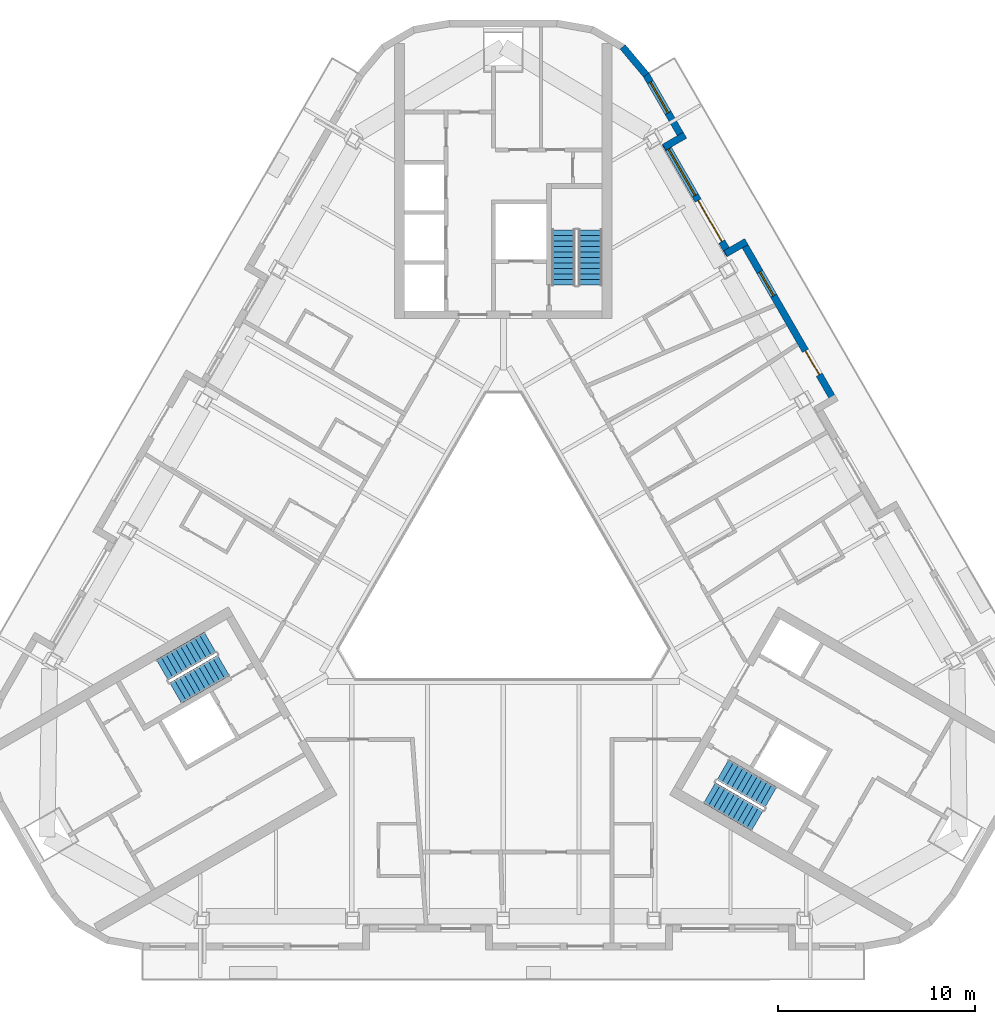
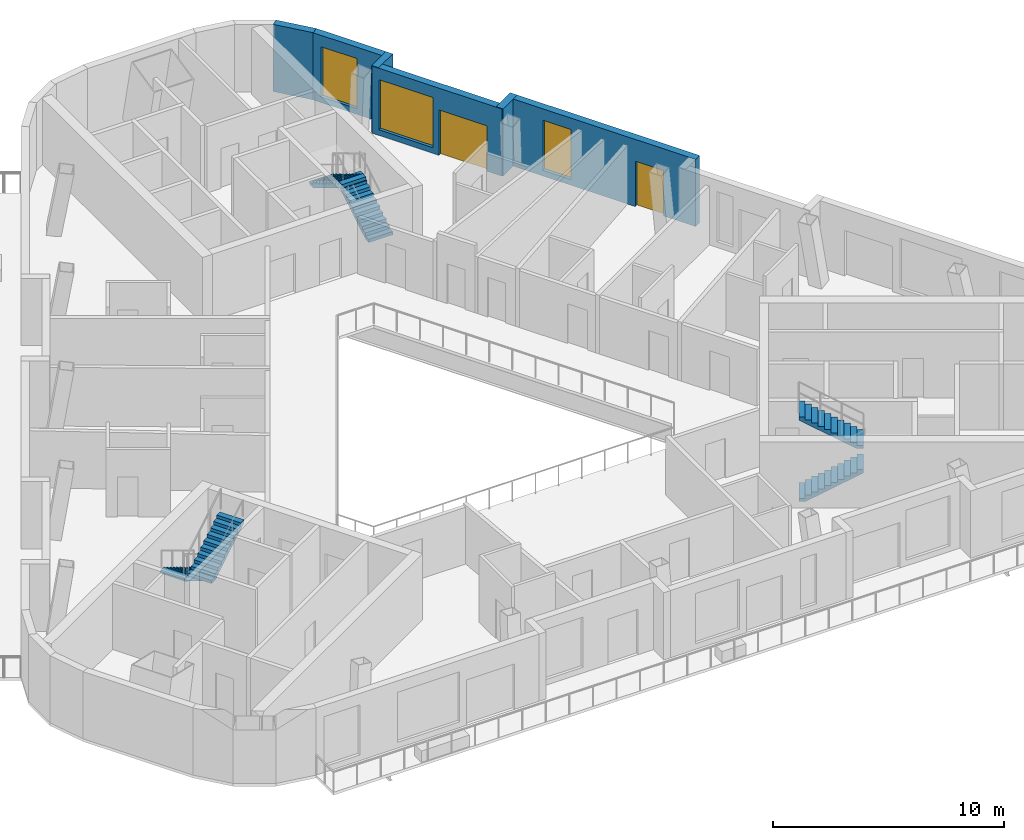
# One storey, part 8 of 14: 6 stair flights, 6 walls, 3 windows, 2 doors, 5 openings, 3 elements without a shape of their own.
"""IFC4 building model written with IfcOpenShell, lengths in metres."""

import ifcopenshell
import ifcopenshell.guid

model = None  # the IFC model being written
_history = None  # IfcOwnerHistory: only IFC2X3 demands one
_inside = {}  # id of a spatial element -> (the spatial element, [elements in it])
_under = {}  # id of a project, library or spatial element -> (it, [spatial elements below it])
_declared = {}  # id of a project -> (the project, [libraries it declares])
_typed = {}  # id of a type object -> (the type object, [elements of that type])
_made_of = {}  # id of a material, layer set ... -> (it, [elements and type objects made of it])


def new_model(schema):
    """Start an empty IFC model of exactly this schema.

    Asked for "IFC4X3", IfcOpenShell would pick the latest addendum, in which some entities
    have other attributes; the version numbers below select the first issue.
    IFC2X3 requires an IfcOwnerHistory on every rooted entity: one is made here for all.
    """
    global model, _history
    if schema == "IFC4X3":
        model = ifcopenshell.file(schema_version=(4, 3, 0, 0))
    else:
        model = ifcopenshell.file(schema=schema)
    _inside.clear()
    _under.clear()
    _declared.clear()
    _typed.clear()
    _made_of.clear()
    _history = None
    if model.schema == "IFC2X3":
        org = make("IfcOrganization", Name="unknown")
        user = make(
            "IfcPersonAndOrganization",
            ThePerson=make("IfcPerson", FamilyName="unknown"),
            TheOrganization=org,
        )
        app = make(
            "IfcApplication",
            ApplicationDeveloper=org,
            Version="unknown",
            ApplicationFullName="unknown",
            ApplicationIdentifier="unknown",
        )
        _history = make(
            "IfcOwnerHistory",
            OwningUser=user,
            OwningApplication=app,
            ChangeAction="ADDED",
            CreationDate=0,
        )
    return model


def make(cls, **values):
    """One entity of the class cls with the attributes given. An attribute that is None is left unset."""
    return model.create_entity(
        cls, **{name: value for name, value in values.items() if value is not None}
    )


def rooted(cls, **values):
    """An entity with a GlobalId (a new one), such as an element, a storey or a relation."""
    return make(cls, GlobalId=ifcopenshell.guid.new(), OwnerHistory=_history, **values)


def si_unit(unit_type, name, prefix=None):
    """IfcSIUnit, for example si_unit("LENGTHUNIT", "METRE", prefix="MILLI")."""
    return make("IfcSIUnit", UnitType=unit_type, Prefix=prefix, Name=name)


def assignment(units):
    """IfcUnitAssignment: the units of a project."""
    return None if units is None else make("IfcUnitAssignment", Units=units)


def point(xyz):
    """IfcCartesianPoint."""
    return None if xyz is None else make("IfcCartesianPoint", Coordinates=xyz)


def direction(xyz):
    """IfcDirection."""
    return None if xyz is None else make("IfcDirection", DirectionRatios=xyz)


def frame(location, z_axis=None, x_axis=None):
    """IfcAxis2Placement3D, a coordinate frame: its origin and axes. An axis left out is left unset."""
    return make(
        "IfcAxis2Placement3D",
        Location=point(location),
        Axis=direction(z_axis),
        RefDirection=direction(x_axis),
    )


def frame_2d(location, x_axis=None):
    """IfcAxis2Placement2D, a coordinate frame in the plane: its origin and x axis."""
    return make(
        "IfcAxis2Placement2D", Location=point(location), RefDirection=direction(x_axis)
    )


def origin():
    """The frame at (0, 0, 0) with its axes left unset."""
    return frame((0.0, 0.0, 0.0))


def place(relative_to, where):
    """IfcLocalPlacement: puts the frame where relative to a parent placement (None: the world)."""
    return make(
        "IfcLocalPlacement", PlacementRelTo=relative_to, RelativePlacement=where
    )


def context(
    kind, dimensions, precision=None, world=None, true_north=None, identifier=None
):
    """IfcGeometricRepresentationContext, for example the 3D "Model" context."""
    return make(
        "IfcGeometricRepresentationContext",
        ContextIdentifier=identifier,
        ContextType=kind,
        CoordinateSpaceDimension=dimensions,
        Precision=precision,
        WorldCoordinateSystem=world,
        TrueNorth=true_north,
    )


def subcontext(parent, identifier, kind, view, scale=None):
    """IfcGeometricRepresentationSubContext, for example "Body" below "Model"."""
    return make(
        "IfcGeometricRepresentationSubContext",
        ContextIdentifier=identifier,
        ContextType=kind,
        ParentContext=parent,
        TargetScale=scale,
        TargetView=view,
    )


def project(units=None, contexts=None):
    """IfcProject with its units and contexts."""
    return rooted(
        "IfcProject",
        Name="project",
        RepresentationContexts=contexts,
        UnitsInContext=assignment(units),
    )


def spatial(cls, under=None, at=None, **own):
    """A site, building, storey or space (cls), placed at a placement, below another one or the project."""
    s = rooted(cls, ObjectPlacement=at, **own)
    if under is not None:
        _under.setdefault(under.id(), (under, []))[1].append(s)
    return s


def polyline(points):
    """IfcPolyline through the points."""
    return make("IfcPolyline", Points=[point(p) for p in points])


def profile(cls, at=None, kind="AREA", **sizes):
    """A parametric profile (cls). Its sizes go by their IFC names, for example OverallWidth=200.0."""
    return make(cls, ProfileType=kind, Position=at, **sizes)


def rectangle(**sizes):
    """IfcRectangleProfileDef."""
    return profile("IfcRectangleProfileDef", **sizes)


def outline(outer, holes=None, kind="AREA"):
    """IfcArbitraryClosedProfileDef: a profile drawn as a closed curve; with holes, ...WithVoids."""
    if holes is None:
        return make("IfcArbitraryClosedProfileDef", ProfileType=kind, OuterCurve=outer)
    return make(
        "IfcArbitraryProfileDefWithVoids",
        ProfileType=kind,
        OuterCurve=outer,
        InnerCurves=holes,
    )


def extrude(swept, where, along, depth):
    """IfcExtrudedAreaSolid: the profile swept, set in the frame where, extruded along a direction by depth."""
    return make(
        "IfcExtrudedAreaSolid",
        SweptArea=swept,
        Position=where,
        ExtrudedDirection=direction(along),
        Depth=depth,
    )


def shape(context_of_items, identifier, shape_type, items):
    """IfcShapeRepresentation: the items that make up one representation, for example the "Body"."""
    return make(
        "IfcShapeRepresentation",
        ContextOfItems=context_of_items,
        RepresentationIdentifier=identifier,
        RepresentationType=shape_type,
        Items=items,
    )


def material(Name=None, Category=None):
    """IfcMaterial."""
    return make("IfcMaterial", Name=Name, Category=Category)


def layer(
    of_material, thickness, ventilated=None, Name=None, Category=None, Priority=None
):
    """IfcMaterialLayer: one layer of a wall or slab, of a material (None: an air gap)."""
    return make(
        "IfcMaterialLayer",
        Material=of_material,
        LayerThickness=thickness,
        IsVentilated=ventilated,
        Name=Name,
        Category=Category,
        Priority=Priority,
    )


def layer_set(layers, Name=None):
    """IfcMaterialLayerSet."""
    return make("IfcMaterialLayerSet", MaterialLayers=layers, LayerSetName=Name)


def made_of(thing, what):
    """Note that an element or type object is made of a material, layer set ...; save() writes the relation."""
    if what is not None:
        _made_of.setdefault(what.id(), (what, []))[1].append(thing)
    return thing


def type_object(cls, material=None, **own):
    """A type object (cls), such as IfcWallType, which elements share."""
    return made_of(rooted(cls, **own), material)


def element(
    cls,
    number,
    at=None,
    inside=None,
    cuts=None,
    type_object=None,
    material=None,
    context=None,
    identifier="Body",
    shape_type=None,
    held_by="IfcProductDefinitionShape",
    body=None,
    shapes=None,
    **own,
):
    """One element of the class cls, such as IfcWall. Its Tag is "e" and its number.

    at: its placement. inside: the storey or other place that contains it. cuts: it is an
    opening in that element (IfcRelVoidsElement). A single representation is given by context,
    identifier, shape_type and body (its items); several are given by shapes. held_by: the class
    of the entity that holds the representations. save() writes the other relations.
    """
    e = rooted(cls, Tag="e%d" % number, ObjectPlacement=at, **own)
    if body is not None:
        shapes = [shape(context, identifier, shape_type, body)]
    if shapes is not None:
        e.Representation = make(held_by, Representations=shapes)
    if inside is not None:
        _inside.setdefault(inside.id(), (inside, []))[1].append(e)
    if cuts is not None:
        rooted(
            "IfcRelVoidsElement", RelatingBuildingElement=cuts, RelatedOpeningElement=e
        )
    if type_object is not None:
        _typed.setdefault(type_object.id(), (type_object, []))[1].append(e)
    return made_of(e, material)


def fill(opening, filler):
    """IfcRelFillsElement: the door or window that sits in an opening."""
    return rooted(
        "IfcRelFillsElement",
        RelatingOpeningElement=opening,
        RelatedBuildingElement=filler,
    )


def aggregate(whole, parts):
    """IfcRelAggregates: a whole, such as a stair, and the parts it consists of."""
    return rooted("IfcRelAggregates", RelatingObject=whole, RelatedObjects=parts)


def save(model, path):
    """Write the relations noted so far, then the file.

    IfcRelAggregates (storeys below a building ...), IfcRelContainedInSpatialStructure (elements
    in a storey), IfcRelDefinesByType, IfcRelAssociatesMaterial and IfcRelDeclares: one each for
    every whole, place, type object, material and project.
    """
    for whole, parts in _under.values():
        aggregate(whole, parts)
    for where, things in _inside.values():
        rooted(
            "IfcRelContainedInSpatialStructure",
            RelatedElements=things,
            RelatingStructure=where,
        )
    for kind, things in _typed.values():
        rooted("IfcRelDefinesByType", RelatedObjects=things, RelatingType=kind)
    for what, things in _made_of.values():
        rooted("IfcRelAssociatesMaterial", RelatedObjects=things, RelatingMaterial=what)
    for by, libraries in _declared.values():
        rooted("IfcRelDeclares", RelatingContext=by, RelatedDefinitions=libraries)
    model.write(path)


model = new_model("IFC4")

# Units and contexts
model_context = context("Model", 3, precision=1e-05, world=origin(), true_north=direction((0.0, 1.0)))
body_context = subcontext(model_context, "Body", "Model", "MODEL_VIEW")
ifc_project = project(units=[si_unit("LENGTHUNIT", "METRE"), si_unit("AREAUNIT", "SQUARE_METRE"), si_unit("VOLUMEUNIT", "CUBIC_METRE"), si_unit("PLANEANGLEUNIT", "RADIAN"), si_unit("MASSUNIT", "GRAM", prefix="KILO")], contexts=[model_context])

# Site, building, storey
site_placement = place(None, origin())
site = spatial("IfcSite", under=ifc_project, at=site_placement, CompositionType="ELEMENT")
building_placement = place(site_placement, origin())
building = spatial("IfcBuilding", under=site, at=building_placement, Name="Apuvela Tower Hotel", CompositionType="ELEMENT")
storey_placement = place(building_placement, frame((0.0, 0.0, 265.199951171875)))
storey = spatial("IfcBuildingStorey", under=building, at=storey_placement, Name="L65", CompositionType="ELEMENT", Elevation=265.199951171875)

# Wall, openings, door, window
ifc_material_1 = material(Name="Concrete C40/50, dark pigmented precast panel", Category="concrete")
ifc_layer = layer(ifc_material_1, 0.35009765625)
ifc_layer_set = layer_set([ifc_layer], Name="ENV-WALL-350")
wall_type = type_object("IfcWallType", Name="ENV-WALL-350", PredefinedType="SOLIDWALL", material=ifc_layer_set)
wall_1_placement = place(storey_placement, frame((16.807373046875, 8.66455078125, 0.0), z_axis=(0.0, 0.0, 1.0), x_axis=(-0.499992427901, 0.866029775494, 0.0)))
wall_1 = element("IfcWall", 1, at=wall_1_placement, inside=storey, type_object=wall_type, Name="External wall L65-37", PredefinedType="SOLIDWALL", context=body_context, shape_type="SweptSolid", body=[
    extrude(rectangle(XDim=9.471923828125, YDim=0.35009765625, at=frame_2d((4.73583984375, 0.0))), origin(), (0.0, 0.0, 1.0), 3.550048828125),
])
opening_1_placement = place(wall_1_placement, frame((1.614501953125, 0.0, 0.0)))
opening_1 = element("IfcOpeningElement", 2, at=opening_1_placement, cuts=wall_1, Name="Opening BD14", PredefinedType="OPENING", context=body_context, shape_type="SweptSolid", body=[
    extrude(rectangle(XDim=1.39990234375, YDim=2.39990234375, at=frame_2d((0.699951171875, 1.199951171875))), frame((0.0, 0.18505859375, 0.0), z_axis=(0.0, -1.0, 0.0), x_axis=(1.0, 0.0, 0.0)), (0.0, 0.0, 1.0), 0.3701171875),
])
opening_2_placement = place(wall_1_placement, frame((6.23046875, 0.0, 0.300048828125)))
opening_2 = element("IfcOpeningElement", 3, at=opening_2_placement, cuts=wall_1, Name="Opening WN14", PredefinedType="OPENING", context=body_context, shape_type="SweptSolid", body=[
    extrude(rectangle(XDim=1.39990234375, YDim=2.64990234375, at=frame_2d((0.699951171875, 1.324951171875))), frame((0.0, 0.18505859375, 0.0), z_axis=(0.0, -1.0, 0.0), x_axis=(1.0, 0.0, 0.0)), (0.0, 0.0, 1.0), 0.3701171875),
])
ifc_material_2 = material(Name="Aluminium 6063-T6, dark bronze anodised frame with dark tinted laminated glass", Category="aluminium")
door_type_1 = type_object("IfcDoorType", Name="ENV-DOOR-BALCONY-1400x2400", OperationType="SLIDING_TO_LEFT", PredefinedType="DOOR", material=ifc_material_2)
door_1_placement = place(opening_1_placement, frame((1.39990234375, 0.0, 0.0), z_axis=(0.0, 0.0, 1.0), x_axis=(-1.0, 0.0, 0.0)))
door_1 = element("IfcDoor", 4, at=door_1_placement, inside=storey, type_object=door_type_1, Name="Balcony door BD14", OperationType="SLIDING_TO_LEFT", OverallHeight=2.39990234375, OverallWidth=1.39990234375, PredefinedType="DOOR", context=body_context, shape_type="SweptSolid", body=[
    extrude(rectangle(XDim=1.39990234375, YDim=2.39990234375, at=frame_2d((0.699951171875, 1.199951171875))), frame((0.0, 0.02490234375, 0.0), z_axis=(0.0, -1.0, 0.0), x_axis=(1.0, 0.0, 0.0)), (0.0, 0.0, 1.0), 0.050048828125),
])
fill(opening_1, door_1)
ifc_material_3 = material(Name="Glass, dark tinted laminated insulated glazing unit", Category="glass")
window_type_1 = type_object("IfcWindowType", Name="ENV-WIN-1400x2650", PartitioningType="SINGLE_PANEL", PredefinedType="WINDOW", material=ifc_material_3)
window_1_placement = place(opening_2_placement, origin())
window_1 = element("IfcWindow", 5, at=window_1_placement, inside=storey, type_object=window_type_1, Name="Window WN14", OverallHeight=2.64990234375, OverallWidth=1.39990234375, PartitioningType="SINGLE_PANEL", PredefinedType="WINDOW", context=body_context, shape_type="SweptSolid", body=[
    extrude(rectangle(XDim=1.39990234375, YDim=2.64990234375, at=frame_2d((0.699951171875, 1.324951171875))), frame((0.0, 0.030029296875, 0.0), z_axis=(0.0, -1.0, 0.0), x_axis=(1.0, 0.0, 0.0)), (0.0, 0.0, 1.0), 0.06005859375),
])
fill(opening_2, window_1)

# Wall
wall_2_placement = place(storey_placement, frame((12.310546875, 16.803466796875, 0.0), z_axis=(0.0, 0.0, 1.0), x_axis=(-0.866005645448, -0.500034220881, 0.0)))
element("IfcWall", 6, at=wall_2_placement, inside=storey, type_object=wall_type, Name="External wall L65-38", PredefinedType="SOLIDWALL", context=body_context, shape_type="SweptSolid", body=[
    extrude(rectangle(XDim=1.22021484375, YDim=0.35009765625, at=frame_2d((0.610107421875, 0.0))), origin(), (0.0, 0.0, 1.0), 3.550048828125),
])

# Wall, openings, door, window
wall_3_placement = place(storey_placement, frame((11.451904296875, 16.140380859375, 0.0), z_axis=(0.0, 0.0, 1.0), x_axis=(-0.49998210071, 0.866035737698, 0.0)))
wall_3 = element("IfcWall", 7, at=wall_3_placement, inside=storey, type_object=wall_type, Name="External wall L65-39", PredefinedType="SOLIDWALL", context=body_context, shape_type="SweptSolid", body=[
    extrude(rectangle(XDim=6.511474609375, YDim=0.35009765625, at=frame_2d((3.255859375, 0.0))), origin(), (0.0, 0.0, 1.0), 3.550048828125),
])
opening_3_placement = place(wall_3_placement, frame((0.77001953125, 0.0, 0.0)))
opening_3 = element("IfcOpeningElement", 8, at=opening_3_placement, cuts=wall_3, Name="Opening BD24", PredefinedType="OPENING", context=body_context, shape_type="SweptSolid", body=[
    extrude(rectangle(XDim=2.39990234375, YDim=2.39990234375, at=frame_2d((1.199951171875, 1.199951171875))), frame((0.0, 0.18505859375, 0.0), z_axis=(0.0, -1.0, 0.0), x_axis=(1.0, 0.0, 0.0)), (0.0, 0.0, 1.0), 0.3701171875),
])
opening_4_placement = place(wall_3_placement, frame((3.469970703125, 0.0, 0.300048828125)))
opening_4 = element("IfcOpeningElement", 9, at=opening_4_placement, cuts=wall_3, Name="Opening WN27", PredefinedType="OPENING", context=body_context, shape_type="SweptSolid", body=[
    extrude(rectangle(XDim=2.699951171875, YDim=2.64990234375, at=frame_2d((1.35009765625, 1.324951171875))), frame((0.0, 0.18505859375, 0.0), z_axis=(0.0, -1.0, 0.0), x_axis=(1.0, 0.0, 0.0)), (0.0, 0.0, 1.0), 0.3701171875),
])
door_type_2 = type_object("IfcDoorType", Name="ENV-DOOR-BALCONY-2400x2400", OperationType="SLIDING_TO_LEFT", PredefinedType="DOOR", material=ifc_material_2)
door_2_placement = place(opening_3_placement, frame((2.39990234375, 0.0, 0.0), z_axis=(0.0, 0.0, 1.0), x_axis=(-1.0, 0.0, 0.0)))
door_2 = element("IfcDoor", 10, at=door_2_placement, inside=storey, type_object=door_type_2, Name="Balcony door BD24", OperationType="SLIDING_TO_LEFT", OverallHeight=2.39990234375, OverallWidth=2.39990234375, PredefinedType="DOOR", context=body_context, shape_type="SweptSolid", body=[
    extrude(rectangle(XDim=2.39990234375, YDim=2.39990234375, at=frame_2d((1.199951171875, 1.199951171875))), frame((0.0, 0.02490234375, 0.0), z_axis=(0.0, -1.0, 0.0), x_axis=(1.0, 0.0, 0.0)), (0.0, 0.0, 1.0), 0.050048828125),
])
fill(opening_3, door_2)
window_type_2 = type_object("IfcWindowType", Name="ENV-WIN-2700x2650", PartitioningType="SINGLE_PANEL", PredefinedType="WINDOW", material=ifc_material_3)
window_2_placement = place(opening_4_placement, origin())
window_2 = element("IfcWindow", 11, at=window_2_placement, inside=storey, type_object=window_type_2, Name="Window WN27", OverallHeight=2.64990234375, OverallWidth=2.699951171875, PartitioningType="SINGLE_PANEL", PredefinedType="WINDOW", context=body_context, shape_type="SweptSolid", body=[
    extrude(rectangle(XDim=2.699951171875, YDim=2.64990234375, at=frame_2d((1.35009765625, 1.324951171875))), frame((0.0, 0.030029296875, 0.0), z_axis=(0.0, -1.0, 0.0), x_axis=(1.0, 0.0, 0.0)), (0.0, 0.0, 1.0), 0.06005859375),
])
fill(opening_4, window_2)

# Wall
wall_4_placement = place(storey_placement, frame((8.14306640625, 21.58154296875, 0.0), z_axis=(0.0, 0.0, 1.0), x_axis=(0.866092288191, 0.499884134912, 0.0)))
element("IfcWall", 12, at=wall_4_placement, inside=storey, type_object=wall_type, Name="External wall L65-40", PredefinedType="SOLIDWALL", context=body_context, shape_type="SweptSolid", body=[
    extrude(rectangle(XDim=1.219970703125, YDim=0.35009765625, at=frame_2d((0.60986328125, 0.0))), origin(), (0.0, 0.0, 1.0), 3.550048828125),
])

# Wall, opening, window
wall_5_placement = place(storey_placement, frame((9.135498046875, 21.952392578125, 0.0), z_axis=(0.0, 0.0, 1.0), x_axis=(-0.499972675833, 0.866041178825, 0.0)))
wall_5 = element("IfcWall", 13, at=wall_5_placement, inside=storey, type_object=wall_type, Name="External wall L65-41", PredefinedType="SOLIDWALL", context=body_context, shape_type="SweptSolid", body=[
    extrude(rectangle(XDim=3.828857421875, YDim=0.35009765625, at=frame_2d((1.91455078125, 0.0))), origin(), (0.0, 0.0, 1.0), 3.550048828125),
])
opening_5_placement = place(wall_5_placement, frame((1.581787109375, 0.0, 0.300048828125)))
opening_5 = element("IfcOpeningElement", 14, at=opening_5_placement, cuts=wall_5, Name="Opening WN18", PredefinedType="OPENING", context=body_context, shape_type="SweptSolid", body=[
    extrude(rectangle(XDim=1.800048828125, YDim=2.64990234375, at=frame_2d((0.89990234375, 1.324951171875))), frame((0.0, 0.18505859375, 0.0), z_axis=(0.0, -1.0, 0.0), x_axis=(1.0, 0.0, 0.0)), (0.0, 0.0, 1.0), 0.3701171875),
])
window_type_3 = type_object("IfcWindowType", Name="ENV-WIN-1800x2650", PartitioningType="SINGLE_PANEL", PredefinedType="WINDOW", material=ifc_material_3)
window_3_placement = place(opening_5_placement, origin())
window_3 = element("IfcWindow", 15, at=window_3_placement, inside=storey, type_object=window_type_3, Name="Window WN18", OverallHeight=2.64990234375, OverallWidth=1.800048828125, PartitioningType="SINGLE_PANEL", PredefinedType="WINDOW", context=body_context, shape_type="SweptSolid", body=[
    extrude(rectangle(XDim=1.800048828125, YDim=2.64990234375, at=frame_2d((0.89990234375, 1.324951171875))), frame((0.0, 0.030029296875, 0.0), z_axis=(0.0, -1.0, 0.0), x_axis=(1.0, 0.0, 0.0)), (0.0, 0.0, 1.0), 0.06005859375),
])
fill(opening_5, window_3)

# Wall
wall_6_placement = place(storey_placement, frame((7.23876953125, 25.2431640625, 0.0), z_axis=(0.0, 0.0, 1.0), x_axis=(-0.642756798522, 0.7660702957, 0.0)))
element("IfcWall", 16, at=wall_6_placement, inside=storey, type_object=wall_type, Name="External wall L65-42", PredefinedType="SOLIDWALL", context=body_context, shape_type="SweptSolid", body=[
    extrude(rectangle(XDim=1.855224609375, YDim=0.35009765625, at=frame_2d((0.927734375, 0.0))), origin(), (0.0, 0.0, 1.0), 3.550048828125),
])

# Stair, stair flights
ifc_material_4 = material(Name="Concrete C50/60", Category="concrete")
stair_type = type_object("IfcStairType", Name="COR-STAIR-22R", PredefinedType="HALF_TURN_STAIR", material=ifc_material_4)
stair_1_placement = place(storey_placement, origin())
stair_1 = element("IfcStair", 17, at=stair_1_placement, inside=storey, type_object=stair_type, Name="L65 Exit stair ST1", PredefinedType="HALF_TURN_STAIR")
stair_flight_type = type_object("IfcStairFlightType", Name="COR-FLIGHT-11R", PredefinedType="STRAIGHT", material=ifc_material_4)
stair_flight_1_placement = place(storey_placement, frame((4.39990234375, 14.60009765625, 0.0), z_axis=(0.0, 0.0, 1.0), x_axis=(0.0, 1.0, 0.0)))
stair_flight_1 = element("IfcStairFlight", 18, at=stair_flight_1_placement, type_object=stair_flight_type, Name="ST1 flight 1", NumberOfRisers=11, NumberOfTreads=10, PredefinedType="STRAIGHT", RiserHeight=0.168181818, TreadLength=0.28, context=body_context, shape_type="SweptSolid", body=[
    extrude(outline(polyline([(0.0, 0.0), (0.0, 0.168212890625), (0.280029296875, 0.168212890625), (0.280029296875, 0.33642578125), (0.56005859375, 0.33642578125), (0.56005859375, 0.504638671875), (0.840087890625, 0.504638671875), (0.840087890625, 0.672607421875), (1.1201171875, 0.672607421875), (1.1201171875, 0.8408203125), (1.39990234375, 0.8408203125), (1.39990234375, 1.009033203125), (1.679931640625, 1.009033203125), (1.679931640625, 1.17724609375), (1.9599609375, 1.17724609375), (1.9599609375, 1.345458984375), (2.239990234375, 1.345458984375), (2.239990234375, 1.513671875), (2.52001953125, 1.513671875), (2.52001953125, 1.681884765625), (2.800048828125, 1.681884765625), (2.800048828125, 1.85009765625), (2.800048828125, 1.5068359375), (0.291015625, 0.0), (0.0, 0.0)])), frame((0.0, 0.60009765625, 0.0), z_axis=(0.0, -1.0, 0.0), x_axis=(1.0, 0.0, 0.0)), (0.0, 0.0, 1.0), 1.199951171875),
])
stair_flight_2_placement = place(storey_placement, frame((3.050048828125, 17.39990234375, 1.85009765625), z_axis=(0.0, 0.0, 1.0), x_axis=(0.0, -1.0, 0.0)))
stair_flight_2 = element("IfcStairFlight", 19, at=stair_flight_2_placement, type_object=stair_flight_type, Name="ST1 flight 2", NumberOfRisers=11, NumberOfTreads=10, PredefinedType="STRAIGHT", RiserHeight=0.168181818, TreadLength=0.28, context=body_context, shape_type="SweptSolid", body=[
    extrude(outline(polyline([(0.0, 0.0), (0.0, 0.168212890625), (0.280029296875, 0.168212890625), (0.280029296875, 0.33642578125), (0.56005859375, 0.33642578125), (0.56005859375, 0.504638671875), (0.840087890625, 0.504638671875), (0.840087890625, 0.672607421875), (1.1201171875, 0.672607421875), (1.1201171875, 0.8408203125), (1.39990234375, 0.8408203125), (1.39990234375, 1.009033203125), (1.679931640625, 1.009033203125), (1.679931640625, 1.17724609375), (1.9599609375, 1.17724609375), (1.9599609375, 1.345458984375), (2.239990234375, 1.345458984375), (2.239990234375, 1.513671875), (2.52001953125, 1.513671875), (2.52001953125, 1.681884765625), (2.800048828125, 1.681884765625), (2.800048828125, 1.85009765625), (2.800048828125, 1.5068359375), (0.291015625, 0.0), (0.0, 0.0)])), frame((0.0, 0.60009765625, 0.0), z_axis=(0.0, -1.0, 0.0), x_axis=(1.0, 0.0, 0.0)), (0.0, 0.0, 1.0), 1.199951171875),
])
aggregate(stair_1, [stair_flight_1, stair_flight_2])

stair_2_placement = place(storey_placement, origin())
stair_2 = element("IfcStair", 20, at=stair_2_placement, inside=storey, type_object=stair_type, Name="L65 Exit stair ST2", PredefinedType="HALF_TURN_STAIR")
stair_flight_3_placement = place(storey_placement, frame((-14.843994140625, -3.489501953125, 0.0), z_axis=(0.0, 0.0, 1.0), x_axis=(-0.866025403784, -0.5, 0.0)))
stair_flight_3 = element("IfcStairFlight", 21, at=stair_flight_3_placement, type_object=stair_flight_type, Name="ST2 flight 1", NumberOfRisers=11, NumberOfTreads=10, PredefinedType="STRAIGHT", RiserHeight=0.168181818, TreadLength=0.28, context=body_context, shape_type="SweptSolid", body=[
    extrude(outline(polyline([(0.0, 0.0), (0.0, 0.168212890625), (0.280029296875, 0.168212890625), (0.280029296875, 0.33642578125), (0.56005859375, 0.33642578125), (0.56005859375, 0.504638671875), (0.840087890625, 0.504638671875), (0.840087890625, 0.672607421875), (1.1201171875, 0.672607421875), (1.1201171875, 0.8408203125), (1.39990234375, 0.8408203125), (1.39990234375, 1.009033203125), (1.679931640625, 1.009033203125), (1.679931640625, 1.17724609375), (1.9599609375, 1.17724609375), (1.9599609375, 1.345458984375), (2.239990234375, 1.345458984375), (2.239990234375, 1.513671875), (2.52001953125, 1.513671875), (2.52001953125, 1.681884765625), (2.800048828125, 1.681884765625), (2.800048828125, 1.85009765625), (2.800048828125, 1.5068359375), (0.291015625, 0.0), (0.0, 0.0)])), frame((0.0, 0.60009765625, 0.0), z_axis=(0.0, -1.0, 0.0), x_axis=(1.0, 0.0, 0.0)), (0.0, 0.0, 1.0), 1.199951171875),
])
stair_flight_4_placement = place(storey_placement, frame((-16.59375, -6.05859375, 1.85009765625), z_axis=(0.0, 0.0, 1.0), x_axis=(0.866025403784, 0.5, 0.0)))
stair_flight_4 = element("IfcStairFlight", 22, at=stair_flight_4_placement, type_object=stair_flight_type, Name="ST2 flight 2", NumberOfRisers=11, NumberOfTreads=10, PredefinedType="STRAIGHT", RiserHeight=0.168181818, TreadLength=0.28, context=body_context, shape_type="SweptSolid", body=[
    extrude(outline(polyline([(0.0, 0.0), (0.0, 0.168212890625), (0.280029296875, 0.168212890625), (0.280029296875, 0.33642578125), (0.56005859375, 0.33642578125), (0.56005859375, 0.504638671875), (0.840087890625, 0.504638671875), (0.840087890625, 0.672607421875), (1.1201171875, 0.672607421875), (1.1201171875, 0.8408203125), (1.39990234375, 0.8408203125), (1.39990234375, 1.009033203125), (1.679931640625, 1.009033203125), (1.679931640625, 1.17724609375), (1.9599609375, 1.17724609375), (1.9599609375, 1.345458984375), (2.239990234375, 1.345458984375), (2.239990234375, 1.513671875), (2.52001953125, 1.513671875), (2.52001953125, 1.681884765625), (2.800048828125, 1.681884765625), (2.800048828125, 1.85009765625), (2.800048828125, 1.5068359375), (0.291015625, 0.0), (0.0, 0.0)])), frame((0.0, 0.60009765625, 0.0), z_axis=(0.0, -1.0, 0.0), x_axis=(1.0, 0.0, 0.0)), (0.0, 0.0, 1.0), 1.199951171875),
])
aggregate(stair_2, [stair_flight_3, stair_flight_4])

stair_3_placement = place(storey_placement, origin())
stair_3 = element("IfcStair", 23, at=stair_3_placement, inside=storey, type_object=stair_type, Name="L65 Exit stair ST3", PredefinedType="HALF_TURN_STAIR")
stair_flight_5_placement = place(storey_placement, frame((10.444091796875, -11.110595703125, 0.0), z_axis=(0.0, 0.0, 1.0), x_axis=(0.866025403784, -0.5, 0.0)))
stair_flight_5 = element("IfcStairFlight", 24, at=stair_flight_5_placement, type_object=stair_flight_type, Name="ST3 flight 1", NumberOfRisers=11, NumberOfTreads=10, PredefinedType="STRAIGHT", RiserHeight=0.168181818, TreadLength=0.28, context=body_context, shape_type="SweptSolid", body=[
    extrude(outline(polyline([(0.0, 0.0), (0.0, 0.168212890625), (0.280029296875, 0.168212890625), (0.280029296875, 0.33642578125), (0.56005859375, 0.33642578125), (0.56005859375, 0.504638671875), (0.840087890625, 0.504638671875), (0.840087890625, 0.672607421875), (1.1201171875, 0.672607421875), (1.1201171875, 0.8408203125), (1.39990234375, 0.8408203125), (1.39990234375, 1.009033203125), (1.679931640625, 1.009033203125), (1.679931640625, 1.17724609375), (1.9599609375, 1.17724609375), (1.9599609375, 1.345458984375), (2.239990234375, 1.345458984375), (2.239990234375, 1.513671875), (2.52001953125, 1.513671875), (2.52001953125, 1.681884765625), (2.800048828125, 1.681884765625), (2.800048828125, 1.85009765625), (2.800048828125, 1.5068359375), (0.291015625, 0.0), (0.0, 0.0)])), frame((0.0, 0.60009765625, 0.0), z_axis=(0.0, -1.0, 0.0), x_axis=(1.0, 0.0, 0.0)), (0.0, 0.0, 1.0), 1.199951171875),
])
stair_flight_6_placement = place(storey_placement, frame((13.5439453125, -11.34130859375, 1.85009765625), z_axis=(0.0, 0.0, 1.0), x_axis=(-0.866025403784, 0.5, 0.0)))
stair_flight_6 = element("IfcStairFlight", 25, at=stair_flight_6_placement, type_object=stair_flight_type, Name="ST3 flight 2", NumberOfRisers=11, NumberOfTreads=10, PredefinedType="STRAIGHT", RiserHeight=0.168181818, TreadLength=0.28, context=body_context, shape_type="SweptSolid", body=[
    extrude(outline(polyline([(0.0, 0.0), (0.0, 0.168212890625), (0.280029296875, 0.168212890625), (0.280029296875, 0.33642578125), (0.56005859375, 0.33642578125), (0.56005859375, 0.504638671875), (0.840087890625, 0.504638671875), (0.840087890625, 0.672607421875), (1.1201171875, 0.672607421875), (1.1201171875, 0.8408203125), (1.39990234375, 0.8408203125), (1.39990234375, 1.009033203125), (1.679931640625, 1.009033203125), (1.679931640625, 1.17724609375), (1.9599609375, 1.17724609375), (1.9599609375, 1.345458984375), (2.239990234375, 1.345458984375), (2.239990234375, 1.513671875), (2.52001953125, 1.513671875), (2.52001953125, 1.681884765625), (2.800048828125, 1.681884765625), (2.800048828125, 1.85009765625), (2.800048828125, 1.5068359375), (0.291015625, 0.0), (0.0, 0.0)])), frame((0.0, 0.60009765625, 0.0), z_axis=(0.0, -1.0, 0.0), x_axis=(1.0, 0.0, 0.0)), (0.0, 0.0, 1.0), 1.199951171875),
])
aggregate(stair_3, [stair_flight_5, stair_flight_6])

save(model, "model.ifc")
